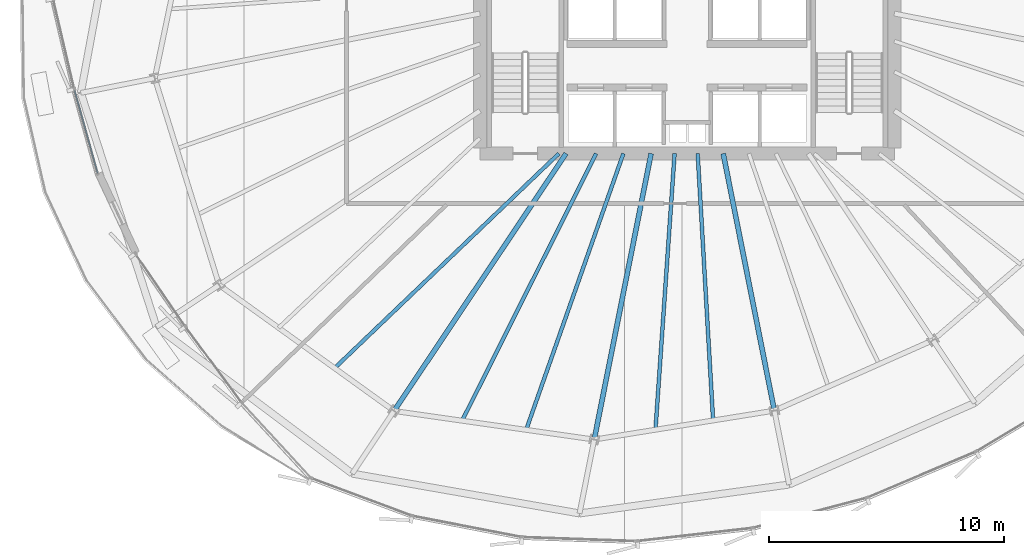
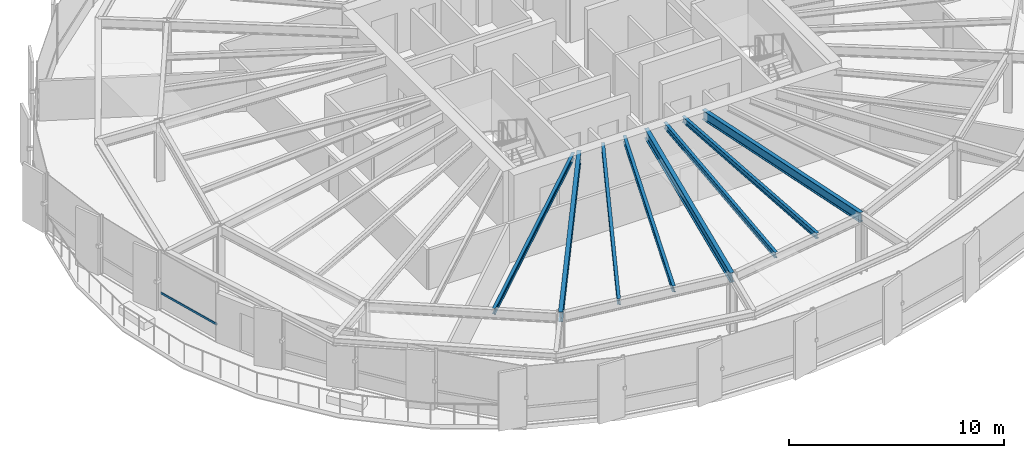
# One storey, part 7 of 33: 8 beams, 1 member, 1 element without a shape of its own.
"""IFC4 building model written with IfcOpenShell, lengths in metres."""

from ifc_helpers import new_model, si_unit, direction, frame, origin, origin_2d, place, context, subcontext, project, spatial, hollow_rectangle, i_section, extrude, source, transform, mapped, material, layer, layer_set, material_profile, profile_set, type_object, element, aggregate, save


model = new_model("IFC4")

# Units and contexts
model_context = context("Model", 3, precision=1e-05, world=origin(), true_north=direction((0.0, 1.0)))
body_context = subcontext(model_context, "Body", "Model", "MODEL_VIEW")
ifc_project = project(units=[si_unit("LENGTHUNIT", "METRE"), si_unit("AREAUNIT", "SQUARE_METRE"), si_unit("VOLUMEUNIT", "CUBIC_METRE"), si_unit("PLANEANGLEUNIT", "RADIAN"), si_unit("MASSUNIT", "GRAM", prefix="KILO"), si_unit("THERMODYNAMICTEMPERATUREUNIT", "KELVIN")], contexts=[model_context])

# Site, building, storey
site_placement = place(None, origin())
site = spatial("IfcSite", under=ifc_project, at=site_placement, CompositionType="ELEMENT")
building_placement = place(site_placement, origin())
building = spatial("IfcBuilding", under=site, at=building_placement, Name="Kethvar Cultural Tower", CompositionType="ELEMENT")
storey_placement = place(building_placement, frame((0.0, 0.0, 110.800048828125)))
storey = spatial("IfcBuildingStorey", under=building, at=storey_placement, Name="L27", CompositionType="ELEMENT", Elevation=110.800048828125)

# Beams
ifc_material_1 = material(Name="Steel S355J2", Category="steel")
ifc_material_profile_1 = material_profile(ifc_material_1, i_section(OverallWidth=0.2099609375, OverallDepth=0.550048828125, WebThickness=0.010986328125, FlangeThickness=0.01708984375, FilletRadius=0.02392578125, at=origin_2d()), Name="Steel S355J2 — IPE550")
ifc_profile_set_1 = profile_set([ifc_material_profile_1], Name="Steel S355J2 — IPE550")
beam_type_1 = type_object("IfcBeamType", Name="BM-IPE550", PredefinedType="BEAM", material=ifc_profile_set_1)
shared_shape_1 = source(origin(), body_context, "Body", "SweptSolid", [
    extrude(i_section(OverallWidth=0.2099609375, OverallDepth=0.550048828125, WebThickness=0.010986328125, FlangeThickness=0.01708984375, FilletRadius=0.02392578125, at=origin_2d()), origin(), (0.0, 0.0, 1.0), 13.147216796875),
])
beam_1_placement = place(storey_placement, frame((41.655029296875, 20.10009765625, 3.072998046875), z_axis=(-0.555565525446, -0.831472757783, 0.0), x_axis=(0.831472757783, -0.555565525446, 0.0)))
element("IfcBeam", 1, at=beam_1_placement, inside=storey, type_object=beam_type_1, Name="L27 Primary Radial Beam RB-11", PredefinedType="BEAM", context=body_context, shape_type="MappedRepresentation", body=[
    mapped(shared_shape_1, transform((0.0, 0.0, 0.0), scale=1.0)),
])
shared_shape_2 = source(origin(), body_context, "Body", "SweptSolid", [
    extrude(i_section(OverallWidth=0.2099609375, OverallDepth=0.550048828125, WebThickness=0.010986328125, FlangeThickness=0.01708984375, FilletRadius=0.02392578125, at=origin_2d()), origin(), (0.0, 0.0, 1.0), 12.384521484375),
])
beam_2_placement = place(storey_placement, frame((45.268310546875, 20.10009765625, 3.072998046875), z_axis=(-0.195084858678, -0.980786367113, 0.0), x_axis=(0.980786367113, -0.195084858678, 0.0)))
element("IfcBeam", 2, at=beam_2_placement, inside=storey, type_object=beam_type_1, Name="L27 Primary Radial Beam RB-12", PredefinedType="BEAM", context=body_context, shape_type="MappedRepresentation", body=[
    mapped(shared_shape_2, transform((0.0, 0.0, 0.0), scale=1.0)),
])
shared_shape_3 = source(origin(), body_context, "Body", "SweptSolid", [
    extrude(i_section(OverallWidth=0.2099609375, OverallDepth=0.550048828125, WebThickness=0.010986328125, FlangeThickness=0.01708984375, FilletRadius=0.02392578125, at=origin_2d()), origin(), (0.0, 0.0, 1.0), 11.131591796875),
])
beam_3_placement = place(storey_placement, frame((48.33154296875, 20.10009765625, 3.072998046875), z_axis=(0.195107998266, -0.980781764213, 0.0), x_axis=(0.980781764213, 0.195107998266, 0.0)))
element("IfcBeam", 3, at=beam_3_placement, inside=storey, type_object=beam_type_1, Name="L27 Primary Radial Beam RB-13", PredefinedType="BEAM", context=body_context, shape_type="MappedRepresentation", body=[
    mapped(shared_shape_3, transform((0.0, 0.0, 0.0), scale=1.0)),
])
ifc_material_profile_2 = material_profile(ifc_material_1, i_section(OverallWidth=0.159912109375, OverallDepth=0.330078125, WebThickness=0.007568359375, FlangeThickness=0.011474609375, FilletRadius=0.01806640625, at=origin_2d()), Name="Steel S355J2 — IPE330")
ifc_profile_set_2 = profile_set([ifc_material_profile_2], Name="Steel S355J2 — IPE330")
beam_type_2 = type_object("IfcBeamType", Name="BM-J330", PredefinedType="JOIST", material=ifc_profile_set_2)
shared_shape_4 = source(origin(), body_context, "Body", "SweptSolid", [
    extrude(i_section(OverallWidth=0.159912109375, OverallDepth=0.330078125, WebThickness=0.007568359375, FlangeThickness=0.011474609375, FilletRadius=0.01806640625, at=origin_2d()), origin(), (0.0, 0.0, 1.0), 13.1826171875),
])
beam_4_placement = place(storey_placement, frame((41.35009765625, 20.10009765625, 3.182861328125), z_axis=(-0.722573880181, -0.691293705801, 0.0), x_axis=(0.691293705801, -0.722573880181, 0.0)))
element("IfcBeam", 4, at=beam_4_placement, inside=storey, type_object=beam_type_2, Name="L27 Composite Floor Joist J-10B", PredefinedType="JOIST", context=body_context, shape_type="MappedRepresentation", body=[
    mapped(shared_shape_4, transform((0.0, 0.0, 0.0), scale=1.0)),
])
shared_shape_5 = source(origin(), body_context, "Body", "SweptSolid", [
    extrude(i_section(OverallWidth=0.159912109375, OverallDepth=0.330078125, WebThickness=0.007568359375, FlangeThickness=0.011474609375, FilletRadius=0.01806640625, at=origin_2d()), origin(), (0.0, 0.0, 1.0), 12.693603515625),
])
beam_5_placement = place(storey_placement, frame((42.935302734375, 20.10009765625, 3.182861328125), z_axis=(-0.448582495233, -0.893741430712, 0.0), x_axis=(0.893741430712, -0.448582495233, 0.0)))
element("IfcBeam", 5, at=beam_5_placement, inside=storey, type_object=beam_type_2, Name="L27 Composite Floor Joist J-11A", PredefinedType="JOIST", context=body_context, shape_type="MappedRepresentation", body=[
    mapped(shared_shape_5, transform((0.0, 0.0, 0.0), scale=1.0)),
])
shared_shape_6 = source(origin(), body_context, "Body", "SweptSolid", [
    extrude(i_section(OverallWidth=0.159912109375, OverallDepth=0.330078125, WebThickness=0.007568359375, FlangeThickness=0.011474609375, FilletRadius=0.01806640625, at=origin_2d()), origin(), (0.0, 0.0, 1.0), 12.4384765625),
])
beam_6_placement = place(storey_placement, frame((44.090576171875, 20.10009765625, 3.182861328125), z_axis=(-0.331923676994, -0.943306245421, 0.0), x_axis=(0.943306245421, -0.331923676994, 0.0)))
element("IfcBeam", 6, at=beam_6_placement, inside=storey, type_object=beam_type_2, Name="L27 Composite Floor Joist J-11B", PredefinedType="JOIST", context=body_context, shape_type="MappedRepresentation", body=[
    mapped(shared_shape_6, transform((0.0, 0.0, 0.0), scale=1.0)),
])
shared_shape_7 = source(origin(), body_context, "Body", "SweptSolid", [
    extrude(i_section(OverallWidth=0.159912109375, OverallDepth=0.330078125, WebThickness=0.007568359375, FlangeThickness=0.011474609375, FilletRadius=0.01806640625, at=origin_2d()), origin(), (0.0, 0.0, 1.0), 11.7568359375),
])
beam_7_placement = place(storey_placement, frame((46.266357421875, 20.10009765625, 3.182861328125), z_axis=(-0.069129203877, -0.997607715072, 0.0), x_axis=(0.997607715072, -0.069129203877, 0.0)))
element("IfcBeam", 7, at=beam_7_placement, inside=storey, type_object=beam_type_2, Name="L27 Composite Floor Joist J-12A", PredefinedType="JOIST", context=body_context, shape_type="MappedRepresentation", body=[
    mapped(shared_shape_7, transform((0.0, 0.0, 0.0), scale=1.0)),
])
shared_shape_8 = source(origin(), body_context, "Body", "SweptSolid", [
    extrude(i_section(OverallWidth=0.159912109375, OverallDepth=0.330078125, WebThickness=0.007568359375, FlangeThickness=0.011474609375, FilletRadius=0.01806640625, at=origin_2d()), origin(), (0.0, 0.0, 1.0), 11.354736328125),
])
beam_8_placement = place(storey_placement, frame((47.245849609375, 20.10009765625, 3.182861328125), z_axis=(0.057795585741, -0.998328438075, 0.0), x_axis=(0.998328438075, 0.057795585741, 0.0)))
element("IfcBeam", 8, at=beam_8_placement, inside=storey, type_object=beam_type_2, Name="L27 Composite Floor Joist J-12B", PredefinedType="JOIST", context=body_context, shape_type="MappedRepresentation", body=[
    mapped(shared_shape_8, transform((0.0, 0.0, 0.0), scale=1.0)),
])

# Curtain wall, member
ifc_material_2 = material(Name="Aluminium 6063-T6", Category="aluminium")
ifc_layer = layer(ifc_material_2, 0.179931640625, Name="Aluminium 6063-T6", Category="aluminium")
ifc_layer_set = layer_set([ifc_layer], Name="Aluminium 6063-T6 (180 mm)")
curtain_wall_type = type_object("IfcCurtainWallType", Name="CW-SYS-03-Z2", PredefinedType="NOTDEFINED", material=ifc_layer_set)
curtain_wall_placement = place(storey_placement, origin())
curtain_wall = element("IfcCurtainWall", 9, at=curtain_wall_placement, inside=storey, type_object=curtain_wall_type, Name="L27 Curtain Wall Run 03", PredefinedType="NOTDEFINED")
ifc_material_profile_3 = material_profile(ifc_material_2, hollow_rectangle(XDim=0.054931640625, YDim=0.1201171875, WallThickness=0.00390625, at=origin_2d()), Name="Aluminium 6063-T6 — RHS120x55x4")
ifc_profile_set_3 = profile_set([ifc_material_profile_3], Name="Aluminium 6063-T6 — RHS120x55x4")
member_type = type_object("IfcMemberType", Name="CW-SYS-03-Z2-TRN", PredefinedType="USERDEFINED", material=ifc_profile_set_3)
shared_shape_9 = source(origin(), body_context, "Body", "SweptSolid", [
    extrude(hollow_rectangle(XDim=0.054931640625, YDim=0.1201171875, WallThickness=0.00390625, at=origin_2d()), origin(), (0.0, 0.0, 1.0), 3.66162109375),
])
member_placement = place(storey_placement, frame((20.779296875, 22.793212890625, 0.949951171875), z_axis=(0.268242187084, -0.963351508572, 0.0), x_axis=(0.963351508572, 0.268242187084, 0.0)))
member = element("IfcMember", 10, at=member_placement, type_object=member_type, Name="CW-L27-R03 Transom 6", ObjectType="TRANSOM", PredefinedType="USERDEFINED", context=body_context, shape_type="MappedRepresentation", body=[
    mapped(shared_shape_9, transform((0.0, 0.0, 0.0), scale=1.0)),
])
aggregate(curtain_wall, [member])

save(model, "model.ifc")
